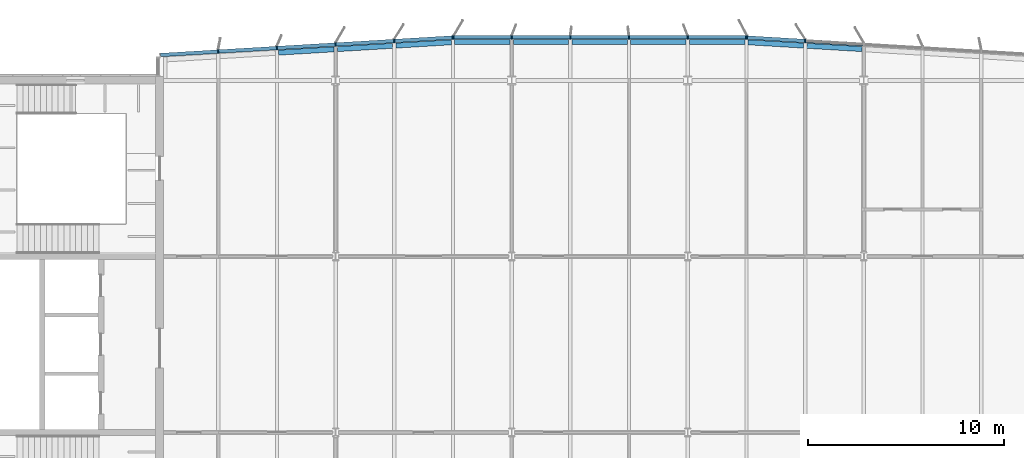
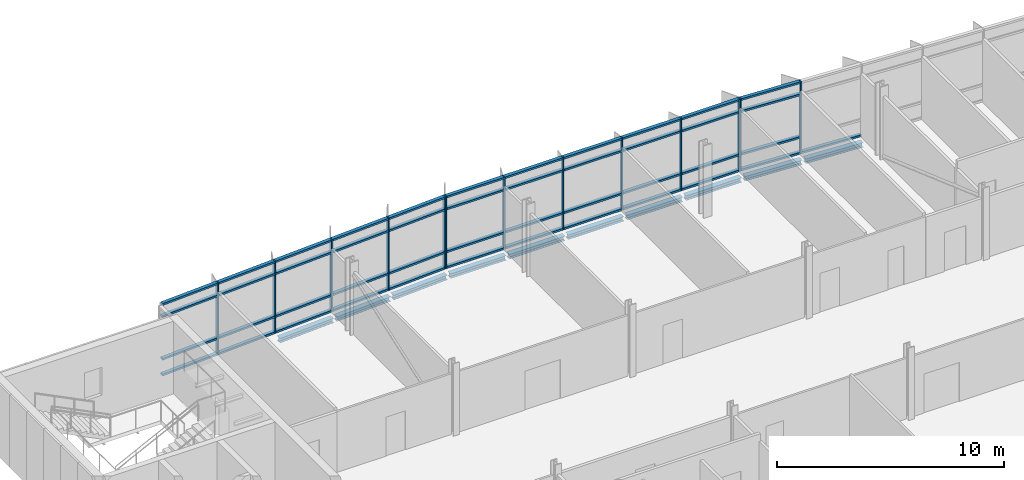
# One storey, part 8 of 18: 58 members, 10 beams, 3 elements without a shape of their own.
"""IFC4 building model written with IfcOpenShell, lengths in metres."""

from ifc_helpers import new_model, si_unit, direction, frame, origin, origin_2d, place, context, subcontext, project, spatial, rectangle, i_section, extrude, material, material_profile, profile_set, type_object, element, aggregate, save


model = new_model("IFC4")

# Units and contexts
model_context = context("Model", 3, precision=1e-05, world=origin(), true_north=direction((0.0, 1.0)))
body_context = subcontext(model_context, "Body", "Model", "MODEL_VIEW")
ifc_project = project(units=[si_unit("LENGTHUNIT", "METRE"), si_unit("AREAUNIT", "SQUARE_METRE"), si_unit("VOLUMEUNIT", "CUBIC_METRE"), si_unit("PLANEANGLEUNIT", "RADIAN"), si_unit("MASSUNIT", "GRAM", prefix="KILO")], contexts=[model_context])

# Site, building, storey
site_placement = place(None, origin())
site = spatial("IfcSite", under=ifc_project, at=site_placement, CompositionType="ELEMENT")
building_placement = place(site_placement, origin())
building = spatial("IfcBuilding", under=site, at=building_placement, Name="Azimuth Sports and Learning Centre", CompositionType="ELEMENT")
storey_placement = place(building_placement, frame((0.0, 0.0, 55.800048828125)))
storey = spatial("IfcBuildingStorey", under=building, at=storey_placement, Name="L12", CompositionType="ELEMENT", Elevation=55.800048828125)

# Beams
ifc_material_1 = material(Name="Steel S355", Category="steel")
ifc_material_profile_1 = material_profile(ifc_material_1, i_section(OverallWidth=0.260009765625, OverallDepth=0.25, WebThickness=0.007568359375, FlangeThickness=0.012451171875, FilletRadius=0.02392578125, at=origin_2d()), Name="HEA 260")
ifc_profile_set_1 = profile_set([ifc_material_profile_1], Name="Steel S355")
beam_type = type_object("IfcBeamType", Name="Edge beam HEA 260", PredefinedType="SPANDREL", material=ifc_profile_set_1)
for number, where, z_axis, x_axis, name in (
    (1, (69.0849609375, 118.4150390625, -0.255126953125), (0.998202373506, 0.059933475842, 0.0), (-0.059933475842, 0.998202373506, 0.0), "Tower edge beam"),
    (2, (72.0849609375, 118.59521484375, -0.255126953125), (0.998207521518, 0.059847673176, 0.0), (-0.059847673176, 0.998207521518, 0.0), "Tower edge beam"),
    (3, (75.0849609375, 118.775146484375, -0.255126953125), (0.998207521518, 0.059847673176, 0.0), (-0.059847673176, 0.998207521518, 0.0), "Tower edge beam"),
):
    element("IfcBeam", number, at=place(storey_placement, frame(where, z_axis=z_axis, x_axis=x_axis)), inside=storey, type_object=beam_type, Name=name, PredefinedType="SPANDREL", context=body_context, shape_type="SweptSolid", body=[
        extrude(i_section(OverallWidth=0.260009765625, OverallDepth=0.25, WebThickness=0.007568359375, FlangeThickness=0.012451171875, FilletRadius=0.02392578125, at=origin_2d()), origin(), (0.0, 0.0, 1.0), 2.835205078125),
    ])
for number, where, z_axis, x_axis, name in (
    (4, (78.0849609375, 118.949951171875, -0.255126953125), (1.0, 0.0, 0.0), (0.0, 1.0, 0.0), "Tower edge beam"),
    (5, (81.0849609375, 118.949951171875, -0.255126953125), (1.0, 0.0, 0.0), (0.0, 1.0, 0.0), "Tower edge beam"),
    (6, (84.0849609375, 118.949951171875, -0.255126953125), (1.0, 0.0, 0.0), (0.0, 1.0, 0.0), "Tower edge beam"),
    (7, (87.0849609375, 118.949951171875, -0.255126953125), (1.0, 0.0, 0.0), (0.0, 1.0, 0.0), "Tower edge beam"),
    (8, (90.0849609375, 118.949951171875, -0.255126953125), (1.0, 0.0, 0.0), (0.0, 1.0, 0.0), "Tower edge beam"),
):
    element("IfcBeam", number, at=place(storey_placement, frame(where, z_axis=z_axis, x_axis=x_axis)), inside=storey, type_object=beam_type, Name=name, PredefinedType="SPANDREL", context=body_context, shape_type="SweptSolid", body=[
        extrude(i_section(OverallWidth=0.260009765625, OverallDepth=0.25, WebThickness=0.007568359375, FlangeThickness=0.012451171875, FilletRadius=0.02392578125, at=origin_2d()), origin(), (0.0, 0.0, 1.0), 2.830078125),
    ])
for number, where, z_axis, x_axis, name in (
    (9, (93.0849609375, 118.94482421875, -0.255126953125), (0.998207521518, -0.059847673176, 0.0), (0.059847673176, 0.998207521518, 0.0), "Tower edge beam"),
    (10, (96.0849609375, 118.764892578125, -0.255126953125), (0.998207521518, -0.059847673176, 0.0), (0.059847673176, 0.998207521518, 0.0), "Tower edge beam"),
):
    element("IfcBeam", number, at=place(storey_placement, frame(where, z_axis=z_axis, x_axis=x_axis)), inside=storey, type_object=beam_type, Name=name, PredefinedType="SPANDREL", context=body_context, shape_type="SweptSolid", body=[
        extrude(i_section(OverallWidth=0.260009765625, OverallDepth=0.25, WebThickness=0.007568359375, FlangeThickness=0.012451171875, FilletRadius=0.02392578125, at=origin_2d()), origin(), (0.0, 0.0, 1.0), 2.835205078125),
    ])

# Curtain wall, members
ifc_material_2 = material(Name="Aluminium and glass", Category="aluminium")
curtain_wall_type = type_object("IfcCurtainWallType", Name="Curtain wall tower north 180", PredefinedType="NOTDEFINED", material=ifc_material_2)
curtain_wall_1_placement = place(storey_placement, origin())
curtain_wall_1 = element("IfcCurtainWall", 11, at=curtain_wall_1_placement, inside=storey, type_object=curtain_wall_type, Name="Curtain wall CW12-007", PredefinedType="NOTDEFINED")
ifc_material_3 = material(Name="Aluminium", Category="aluminium")
ifc_material_profile_2 = material_profile(ifc_material_3, rectangle(XDim=0.179931640625, YDim=0.06005859375, at=origin_2d()), Name="Mullion 60x180")
ifc_profile_set_2 = profile_set([ifc_material_profile_2], Name="Aluminium")
member_type_1 = type_object("IfcMemberType", Name="Mullion 60x180", PredefinedType="MULLION", material=ifc_profile_set_2)
member_1_placement = place(storey_placement, frame((96.00537109375, 119.009765625, 0.0), z_axis=(0.0, 0.0, 1.0), x_axis=(-0.059891991812, -0.998204863401, 0.0)))
member_1 = element("IfcMember", 12, at=member_1_placement, type_object=member_type_1, Name="CW12-007 mullion 5", PredefinedType="MULLION", context=body_context, shape_type="SweptSolid", body=[
    extrude(rectangle(XDim=0.179931640625, YDim=0.06005859375, at=origin_2d()), origin(), (0.0, 0.0, 1.0), 3.89990234375),
])
member_2_placement = place(storey_placement, frame((93.035400390625, 119.18798828125, 0.0), z_axis=(0.0, 0.0, 1.0), x_axis=(-0.059891991812, -0.998204863401, 0.0)))
member_2 = element("IfcMember", 13, at=member_2_placement, type_object=member_type_1, Name="CW12-007 mullion 6", PredefinedType="MULLION", context=body_context, shape_type="SweptSolid", body=[
    extrude(rectangle(XDim=0.179931640625, YDim=0.06005859375, at=origin_2d()), origin(), (0.0, 0.0, 1.0), 3.89990234375),
])

curtain_wall_2_placement = place(storey_placement, origin())
curtain_wall_2 = element("IfcCurtainWall", 14, at=curtain_wall_2_placement, inside=storey, type_object=curtain_wall_type, Name="Curtain wall CW12-008", PredefinedType="NOTDEFINED")
member_3_placement = place(storey_placement, frame((92.975341796875, 119.18994140625, 0.0), z_axis=(0.0, 0.0, 1.0), x_axis=(0.0, -1.0, 0.0)))
member_3 = element("IfcMember", 15, at=member_3_placement, type_object=member_type_1, Name="CW12-008 mullion 1", PredefinedType="MULLION", context=body_context, shape_type="SweptSolid", body=[
    extrude(rectangle(XDim=0.179931640625, YDim=0.06005859375, at=origin_2d()), origin(), (0.0, 0.0, 1.0), 3.89990234375),
])
member_4_placement = place(storey_placement, frame((90.0, 119.18994140625, 0.0), z_axis=(0.0, 0.0, 1.0), x_axis=(0.0, -1.0, 0.0)))
member_4 = element("IfcMember", 16, at=member_4_placement, type_object=member_type_1, Name="CW12-008 mullion 2", PredefinedType="MULLION", context=body_context, shape_type="SweptSolid", body=[
    extrude(rectangle(XDim=0.179931640625, YDim=0.06005859375, at=origin_2d()), origin(), (0.0, 0.0, 1.0), 3.89990234375),
])
member_5_placement = place(storey_placement, frame((87.0, 119.18994140625, 0.0), z_axis=(0.0, 0.0, 1.0), x_axis=(0.0, -1.0, 0.0)))
member_5 = element("IfcMember", 17, at=member_5_placement, type_object=member_type_1, Name="CW12-008 mullion 3", PredefinedType="MULLION", context=body_context, shape_type="SweptSolid", body=[
    extrude(rectangle(XDim=0.179931640625, YDim=0.06005859375, at=origin_2d()), origin(), (0.0, 0.0, 1.0), 3.89990234375),
])
member_6_placement = place(storey_placement, frame((84.0, 119.18994140625, 0.0), z_axis=(0.0, 0.0, 1.0), x_axis=(0.0, -1.0, 0.0)))
member_6 = element("IfcMember", 18, at=member_6_placement, type_object=member_type_1, Name="CW12-008 mullion 4", PredefinedType="MULLION", context=body_context, shape_type="SweptSolid", body=[
    extrude(rectangle(XDim=0.179931640625, YDim=0.06005859375, at=origin_2d()), origin(), (0.0, 0.0, 1.0), 3.89990234375),
])
member_7_placement = place(storey_placement, frame((81.0, 119.18994140625, 0.0), z_axis=(0.0, 0.0, 1.0), x_axis=(0.0, -1.0, 0.0)))
member_7 = element("IfcMember", 19, at=member_7_placement, type_object=member_type_1, Name="CW12-008 mullion 5", PredefinedType="MULLION", context=body_context, shape_type="SweptSolid", body=[
    extrude(rectangle(XDim=0.179931640625, YDim=0.06005859375, at=origin_2d()), origin(), (0.0, 0.0, 1.0), 3.89990234375),
])
member_8_placement = place(storey_placement, frame((78.030029296875, 119.18994140625, 0.0), z_axis=(0.0, 0.0, 1.0), x_axis=(0.0, -1.0, 0.0)))
member_8 = element("IfcMember", 20, at=member_8_placement, type_object=member_type_1, Name="CW12-008 mullion 6", PredefinedType="MULLION", context=body_context, shape_type="SweptSolid", body=[
    extrude(rectangle(XDim=0.179931640625, YDim=0.06005859375, at=origin_2d()), origin(), (0.0, 0.0, 1.0), 3.89990234375),
])

curtain_wall_3_placement = place(storey_placement, origin())
curtain_wall_3 = element("IfcCurtainWall", 21, at=curtain_wall_3_placement, inside=storey, type_object=curtain_wall_type, Name="Curtain wall CW12-009", PredefinedType="NOTDEFINED")
member_9_placement = place(storey_placement, frame((77.969970703125, 119.1884765625, 0.0), z_axis=(0.0, 0.0, 1.0), x_axis=(0.059891991812, -0.998204863401, 0.0)))
member_9 = element("IfcMember", 22, at=member_9_placement, type_object=member_type_1, Name="CW12-009 mullion 1", PredefinedType="MULLION", context=body_context, shape_type="SweptSolid", body=[
    extrude(rectangle(XDim=0.179931640625, YDim=0.06005859375, at=origin_2d()), origin(), (0.0, 0.0, 1.0), 3.89990234375),
])
member_10_placement = place(storey_placement, frame((74.99462890625, 119.009765625, 0.0), z_axis=(0.0, 0.0, 1.0), x_axis=(0.059891991812, -0.998204863401, 0.0)))
member_10 = element("IfcMember", 23, at=member_10_placement, type_object=member_type_1, Name="CW12-009 mullion 2", PredefinedType="MULLION", context=body_context, shape_type="SweptSolid", body=[
    extrude(rectangle(XDim=0.179931640625, YDim=0.06005859375, at=origin_2d()), origin(), (0.0, 0.0, 1.0), 3.89990234375),
])
member_11_placement = place(storey_placement, frame((71.99462890625, 118.829833984375, 0.0), z_axis=(0.0, 0.0, 1.0), x_axis=(0.059891991812, -0.998204863401, 0.0)))
member_11 = element("IfcMember", 24, at=member_11_placement, type_object=member_type_1, Name="CW12-009 mullion 3", PredefinedType="MULLION", context=body_context, shape_type="SweptSolid", body=[
    extrude(rectangle(XDim=0.179931640625, YDim=0.06005859375, at=origin_2d()), origin(), (0.0, 0.0, 1.0), 3.89990234375),
])
member_12_placement = place(storey_placement, frame((68.99462890625, 118.64990234375, 0.0), z_axis=(0.0, 0.0, 1.0), x_axis=(0.059891991812, -0.998204863401, 0.0)))
member_12 = element("IfcMember", 25, at=member_12_placement, type_object=member_type_1, Name="CW12-009 mullion 4", PredefinedType="MULLION", context=body_context, shape_type="SweptSolid", body=[
    extrude(rectangle(XDim=0.179931640625, YDim=0.06005859375, at=origin_2d()), origin(), (0.0, 0.0, 1.0), 3.89990234375),
])
member_13_placement = place(storey_placement, frame((65.99462890625, 118.4697265625, 0.0), z_axis=(0.0, 0.0, 1.0), x_axis=(0.059891991812, -0.998204863401, 0.0)))
member_13 = element("IfcMember", 26, at=member_13_placement, type_object=member_type_1, Name="CW12-009 mullion 5", PredefinedType="MULLION", context=body_context, shape_type="SweptSolid", body=[
    extrude(rectangle(XDim=0.179931640625, YDim=0.06005859375, at=origin_2d()), origin(), (0.0, 0.0, 1.0), 3.89990234375),
])

# Member
ifc_material_4 = material(Name="Aluminium", Category="aluminium")
ifc_material_profile_3 = material_profile(ifc_material_4, rectangle(XDim=0.179931640625, YDim=0.10009765625, at=origin_2d()), Name="Transom 100x180")
ifc_profile_set_3 = profile_set([ifc_material_profile_3], Name="Aluminium")
member_type_2 = type_object("IfcMemberType", Name="Transom 100x180", PredefinedType="USERDEFINED", material=ifc_profile_set_3)
member_14_placement = place(storey_placement, frame((98.975341796875, 118.83154296875, 0.050048828125), z_axis=(-0.998202465912, 0.059931936792, 0.0), x_axis=(-0.059931936792, -0.998202465912, 0.0)))
member_14 = element("IfcMember", 27, at=member_14_placement, type_object=member_type_2, Name="CW12-007 transom 4.1", ObjectType="TRANSOM", PredefinedType="USERDEFINED", context=body_context, shape_type="SweptSolid", body=[
    extrude(rectangle(XDim=0.179931640625, YDim=0.10009765625, at=origin_2d()), origin(), (0.0, 0.0, 1.0), 2.9453125),
])

member_15_placement = place(storey_placement, frame((95.975341796875, 119.01171875, 0.050048828125), z_axis=(-0.998205846627, 0.059875602377, 0.0), x_axis=(-0.059875602377, -0.998205846627, 0.0)))
member_15 = element("IfcMember", 28, at=member_15_placement, type_object=member_type_2, Name="CW12-007 transom 5.1", ObjectType="TRANSOM", PredefinedType="USERDEFINED", context=body_context, shape_type="SweptSolid", body=[
    extrude(rectangle(XDim=0.179931640625, YDim=0.10009765625, at=origin_2d()), origin(), (0.0, 0.0, 1.0), 2.915283203125),
])

member_16_placement = place(storey_placement, frame((95.975341796875, 119.01171875, 0.89990234375), z_axis=(-0.998205846627, 0.059875602377, 0.0), x_axis=(-0.059875602377, -0.998205846627, 0.0)))
member_16 = element("IfcMember", 29, at=member_16_placement, type_object=member_type_2, Name="CW12-007 transom 5.2", ObjectType="TRANSOM", PredefinedType="USERDEFINED", context=body_context, shape_type="SweptSolid", body=[
    extrude(rectangle(XDim=0.179931640625, YDim=0.10009765625, at=origin_2d()), origin(), (0.0, 0.0, 1.0), 2.915283203125),
])

member_17_placement = place(storey_placement, frame((95.975341796875, 119.01171875, 3.199951171875), z_axis=(-0.998205846627, 0.059875602377, 0.0), x_axis=(-0.059875602377, -0.998205846627, 0.0)))
member_17 = element("IfcMember", 30, at=member_17_placement, type_object=member_type_2, Name="CW12-007 transom 5.3", ObjectType="TRANSOM", PredefinedType="USERDEFINED", context=body_context, shape_type="SweptSolid", body=[
    extrude(rectangle(XDim=0.179931640625, YDim=0.10009765625, at=origin_2d()), origin(), (0.0, 0.0, 1.0), 2.915283203125),
])

member_18_placement = place(storey_placement, frame((95.975341796875, 119.01171875, 3.849853515625), z_axis=(-0.998205846627, 0.059875602377, 0.0), x_axis=(-0.059875602377, -0.998205846627, 0.0)))
member_18 = element("IfcMember", 31, at=member_18_placement, type_object=member_type_2, Name="CW12-007 transom 5.4", ObjectType="TRANSOM", PredefinedType="USERDEFINED", context=body_context, shape_type="SweptSolid", body=[
    extrude(rectangle(XDim=0.179931640625, YDim=0.10009765625, at=origin_2d()), origin(), (0.0, 0.0, 1.0), 2.915283203125),
])

aggregate(curtain_wall_1, [member_1, member_2, member_14, member_15, member_16, member_17, member_18])

member_19_placement = place(storey_placement, frame((92.9453125, 119.18994140625, 0.050048828125), z_axis=(-1.0, 0.0, 0.0), x_axis=(0.0, -1.0, 0.0)))
member_19 = element("IfcMember", 32, at=member_19_placement, type_object=member_type_2, Name="CW12-008 transom 1.1", ObjectType="TRANSOM", PredefinedType="USERDEFINED", context=body_context, shape_type="SweptSolid", body=[
    extrude(rectangle(XDim=0.179931640625, YDim=0.10009765625, at=origin_2d()), origin(), (0.0, 0.0, 1.0), 2.915283203125),
])

member_20_placement = place(storey_placement, frame((92.9453125, 119.18994140625, 0.89990234375), z_axis=(-1.0, 0.0, 0.0), x_axis=(0.0, -1.0, 0.0)))
member_20 = element("IfcMember", 33, at=member_20_placement, type_object=member_type_2, Name="CW12-008 transom 1.2", ObjectType="TRANSOM", PredefinedType="USERDEFINED", context=body_context, shape_type="SweptSolid", body=[
    extrude(rectangle(XDim=0.179931640625, YDim=0.10009765625, at=origin_2d()), origin(), (0.0, 0.0, 1.0), 2.915283203125),
])

member_21_placement = place(storey_placement, frame((92.9453125, 119.18994140625, 3.199951171875), z_axis=(-1.0, 0.0, 0.0), x_axis=(0.0, -1.0, 0.0)))
member_21 = element("IfcMember", 34, at=member_21_placement, type_object=member_type_2, Name="CW12-008 transom 1.3", ObjectType="TRANSOM", PredefinedType="USERDEFINED", context=body_context, shape_type="SweptSolid", body=[
    extrude(rectangle(XDim=0.179931640625, YDim=0.10009765625, at=origin_2d()), origin(), (0.0, 0.0, 1.0), 2.915283203125),
])

member_22_placement = place(storey_placement, frame((92.9453125, 119.18994140625, 3.849853515625), z_axis=(-1.0, 0.0, 0.0), x_axis=(0.0, -1.0, 0.0)))
member_22 = element("IfcMember", 35, at=member_22_placement, type_object=member_type_2, Name="CW12-008 transom 1.4", ObjectType="TRANSOM", PredefinedType="USERDEFINED", context=body_context, shape_type="SweptSolid", body=[
    extrude(rectangle(XDim=0.179931640625, YDim=0.10009765625, at=origin_2d()), origin(), (0.0, 0.0, 1.0), 2.915283203125),
])

member_23_placement = place(storey_placement, frame((89.969970703125, 119.18994140625, 0.050048828125), z_axis=(-1.0, 0.0, 0.0), x_axis=(0.0, -1.0, 0.0)))
member_23 = element("IfcMember", 36, at=member_23_placement, type_object=member_type_2, Name="CW12-008 transom 2.1", ObjectType="TRANSOM", PredefinedType="USERDEFINED", context=body_context, shape_type="SweptSolid", body=[
    extrude(rectangle(XDim=0.179931640625, YDim=0.10009765625, at=origin_2d()), origin(), (0.0, 0.0, 1.0), 2.93994140625),
])

member_24_placement = place(storey_placement, frame((89.969970703125, 119.18994140625, 0.89990234375), z_axis=(-1.0, 0.0, 0.0), x_axis=(0.0, -1.0, 0.0)))
member_24 = element("IfcMember", 37, at=member_24_placement, type_object=member_type_2, Name="CW12-008 transom 2.2", ObjectType="TRANSOM", PredefinedType="USERDEFINED", context=body_context, shape_type="SweptSolid", body=[
    extrude(rectangle(XDim=0.179931640625, YDim=0.10009765625, at=origin_2d()), origin(), (0.0, 0.0, 1.0), 2.93994140625),
])

member_25_placement = place(storey_placement, frame((89.969970703125, 119.18994140625, 3.199951171875), z_axis=(-1.0, 0.0, 0.0), x_axis=(0.0, -1.0, 0.0)))
member_25 = element("IfcMember", 38, at=member_25_placement, type_object=member_type_2, Name="CW12-008 transom 2.3", ObjectType="TRANSOM", PredefinedType="USERDEFINED", context=body_context, shape_type="SweptSolid", body=[
    extrude(rectangle(XDim=0.179931640625, YDim=0.10009765625, at=origin_2d()), origin(), (0.0, 0.0, 1.0), 2.93994140625),
])

member_26_placement = place(storey_placement, frame((89.969970703125, 119.18994140625, 3.849853515625), z_axis=(-1.0, 0.0, 0.0), x_axis=(0.0, -1.0, 0.0)))
member_26 = element("IfcMember", 39, at=member_26_placement, type_object=member_type_2, Name="CW12-008 transom 2.4", ObjectType="TRANSOM", PredefinedType="USERDEFINED", context=body_context, shape_type="SweptSolid", body=[
    extrude(rectangle(XDim=0.179931640625, YDim=0.10009765625, at=origin_2d()), origin(), (0.0, 0.0, 1.0), 2.93994140625),
])

member_27_placement = place(storey_placement, frame((86.969970703125, 119.18994140625, 0.050048828125), z_axis=(-1.0, 0.0, 0.0), x_axis=(0.0, -1.0, 0.0)))
member_27 = element("IfcMember", 40, at=member_27_placement, type_object=member_type_2, Name="CW12-008 transom 3.1", ObjectType="TRANSOM", PredefinedType="USERDEFINED", context=body_context, shape_type="SweptSolid", body=[
    extrude(rectangle(XDim=0.179931640625, YDim=0.10009765625, at=origin_2d()), origin(), (0.0, 0.0, 1.0), 2.93994140625),
])

member_28_placement = place(storey_placement, frame((86.969970703125, 119.18994140625, 0.89990234375), z_axis=(-1.0, 0.0, 0.0), x_axis=(0.0, -1.0, 0.0)))
member_28 = element("IfcMember", 41, at=member_28_placement, type_object=member_type_2, Name="CW12-008 transom 3.2", ObjectType="TRANSOM", PredefinedType="USERDEFINED", context=body_context, shape_type="SweptSolid", body=[
    extrude(rectangle(XDim=0.179931640625, YDim=0.10009765625, at=origin_2d()), origin(), (0.0, 0.0, 1.0), 2.93994140625),
])

member_29_placement = place(storey_placement, frame((86.969970703125, 119.18994140625, 3.199951171875), z_axis=(-1.0, 0.0, 0.0), x_axis=(0.0, -1.0, 0.0)))
member_29 = element("IfcMember", 42, at=member_29_placement, type_object=member_type_2, Name="CW12-008 transom 3.3", ObjectType="TRANSOM", PredefinedType="USERDEFINED", context=body_context, shape_type="SweptSolid", body=[
    extrude(rectangle(XDim=0.179931640625, YDim=0.10009765625, at=origin_2d()), origin(), (0.0, 0.0, 1.0), 2.93994140625),
])

member_30_placement = place(storey_placement, frame((86.969970703125, 119.18994140625, 3.849853515625), z_axis=(-1.0, 0.0, 0.0), x_axis=(0.0, -1.0, 0.0)))
member_30 = element("IfcMember", 43, at=member_30_placement, type_object=member_type_2, Name="CW12-008 transom 3.4", ObjectType="TRANSOM", PredefinedType="USERDEFINED", context=body_context, shape_type="SweptSolid", body=[
    extrude(rectangle(XDim=0.179931640625, YDim=0.10009765625, at=origin_2d()), origin(), (0.0, 0.0, 1.0), 2.93994140625),
])

member_31_placement = place(storey_placement, frame((83.969970703125, 119.18994140625, 0.050048828125), z_axis=(-1.0, 0.0, 0.0), x_axis=(0.0, -1.0, 0.0)))
member_31 = element("IfcMember", 44, at=member_31_placement, type_object=member_type_2, Name="CW12-008 transom 4.1", ObjectType="TRANSOM", PredefinedType="USERDEFINED", context=body_context, shape_type="SweptSolid", body=[
    extrude(rectangle(XDim=0.179931640625, YDim=0.10009765625, at=origin_2d()), origin(), (0.0, 0.0, 1.0), 2.93994140625),
])

member_32_placement = place(storey_placement, frame((83.969970703125, 119.18994140625, 0.89990234375), z_axis=(-1.0, 0.0, 0.0), x_axis=(0.0, -1.0, 0.0)))
member_32 = element("IfcMember", 45, at=member_32_placement, type_object=member_type_2, Name="CW12-008 transom 4.2", ObjectType="TRANSOM", PredefinedType="USERDEFINED", context=body_context, shape_type="SweptSolid", body=[
    extrude(rectangle(XDim=0.179931640625, YDim=0.10009765625, at=origin_2d()), origin(), (0.0, 0.0, 1.0), 2.93994140625),
])

member_33_placement = place(storey_placement, frame((83.969970703125, 119.18994140625, 3.199951171875), z_axis=(-1.0, 0.0, 0.0), x_axis=(0.0, -1.0, 0.0)))
member_33 = element("IfcMember", 46, at=member_33_placement, type_object=member_type_2, Name="CW12-008 transom 4.3", ObjectType="TRANSOM", PredefinedType="USERDEFINED", context=body_context, shape_type="SweptSolid", body=[
    extrude(rectangle(XDim=0.179931640625, YDim=0.10009765625, at=origin_2d()), origin(), (0.0, 0.0, 1.0), 2.93994140625),
])

member_34_placement = place(storey_placement, frame((83.969970703125, 119.18994140625, 3.849853515625), z_axis=(-1.0, 0.0, 0.0), x_axis=(0.0, -1.0, 0.0)))
member_34 = element("IfcMember", 47, at=member_34_placement, type_object=member_type_2, Name="CW12-008 transom 4.4", ObjectType="TRANSOM", PredefinedType="USERDEFINED", context=body_context, shape_type="SweptSolid", body=[
    extrude(rectangle(XDim=0.179931640625, YDim=0.10009765625, at=origin_2d()), origin(), (0.0, 0.0, 1.0), 2.93994140625),
])

member_35_placement = place(storey_placement, frame((80.969970703125, 119.18994140625, 0.050048828125), z_axis=(-1.0, 0.0, 0.0), x_axis=(0.0, -1.0, 0.0)))
member_35 = element("IfcMember", 48, at=member_35_placement, type_object=member_type_2, Name="CW12-008 transom 5.1", ObjectType="TRANSOM", PredefinedType="USERDEFINED", context=body_context, shape_type="SweptSolid", body=[
    extrude(rectangle(XDim=0.179931640625, YDim=0.10009765625, at=origin_2d()), origin(), (0.0, 0.0, 1.0), 2.909912109375),
])

member_36_placement = place(storey_placement, frame((80.969970703125, 119.18994140625, 0.89990234375), z_axis=(-1.0, 0.0, 0.0), x_axis=(0.0, -1.0, 0.0)))
member_36 = element("IfcMember", 49, at=member_36_placement, type_object=member_type_2, Name="CW12-008 transom 5.2", ObjectType="TRANSOM", PredefinedType="USERDEFINED", context=body_context, shape_type="SweptSolid", body=[
    extrude(rectangle(XDim=0.179931640625, YDim=0.10009765625, at=origin_2d()), origin(), (0.0, 0.0, 1.0), 2.909912109375),
])

member_37_placement = place(storey_placement, frame((80.969970703125, 119.18994140625, 3.199951171875), z_axis=(-1.0, 0.0, 0.0), x_axis=(0.0, -1.0, 0.0)))
member_37 = element("IfcMember", 50, at=member_37_placement, type_object=member_type_2, Name="CW12-008 transom 5.3", ObjectType="TRANSOM", PredefinedType="USERDEFINED", context=body_context, shape_type="SweptSolid", body=[
    extrude(rectangle(XDim=0.179931640625, YDim=0.10009765625, at=origin_2d()), origin(), (0.0, 0.0, 1.0), 2.909912109375),
])

member_38_placement = place(storey_placement, frame((80.969970703125, 119.18994140625, 3.849853515625), z_axis=(-1.0, 0.0, 0.0), x_axis=(0.0, -1.0, 0.0)))
member_38 = element("IfcMember", 51, at=member_38_placement, type_object=member_type_2, Name="CW12-008 transom 5.4", ObjectType="TRANSOM", PredefinedType="USERDEFINED", context=body_context, shape_type="SweptSolid", body=[
    extrude(rectangle(XDim=0.179931640625, YDim=0.10009765625, at=origin_2d()), origin(), (0.0, 0.0, 1.0), 2.909912109375),
])

aggregate(curtain_wall_2, [member_3, member_4, member_5, member_6, member_7, member_8, member_19, member_20, member_21, member_22, member_23, member_24, member_25, member_26, member_27, member_28, member_29, member_30, member_31, member_32, member_33, member_34, member_35, member_36, member_37, member_38])

member_39_placement = place(storey_placement, frame((77.940185546875, 119.1865234375, 0.050048828125), z_axis=(-0.998207443116, -0.059848980847, 0.0), x_axis=(0.059848980847, -0.998207443116, 0.0)))
member_39 = element("IfcMember", 52, at=member_39_placement, type_object=member_type_2, Name="CW12-009 transom 1.1", ObjectType="TRANSOM", PredefinedType="USERDEFINED", context=body_context, shape_type="SweptSolid", body=[
    extrude(rectangle(XDim=0.179931640625, YDim=0.10009765625, at=origin_2d()), origin(), (0.0, 0.0, 1.0), 2.920654296875),
])

member_40_placement = place(storey_placement, frame((77.940185546875, 119.1865234375, 0.89990234375), z_axis=(-0.998207443116, -0.059848980847, 0.0), x_axis=(0.059848980847, -0.998207443116, 0.0)))
member_40 = element("IfcMember", 53, at=member_40_placement, type_object=member_type_2, Name="CW12-009 transom 1.2", ObjectType="TRANSOM", PredefinedType="USERDEFINED", context=body_context, shape_type="SweptSolid", body=[
    extrude(rectangle(XDim=0.179931640625, YDim=0.10009765625, at=origin_2d()), origin(), (0.0, 0.0, 1.0), 2.920654296875),
])

member_41_placement = place(storey_placement, frame((77.940185546875, 119.1865234375, 3.199951171875), z_axis=(-0.998207443116, -0.059848980847, 0.0), x_axis=(0.059848980847, -0.998207443116, 0.0)))
member_41 = element("IfcMember", 54, at=member_41_placement, type_object=member_type_2, Name="CW12-009 transom 1.3", ObjectType="TRANSOM", PredefinedType="USERDEFINED", context=body_context, shape_type="SweptSolid", body=[
    extrude(rectangle(XDim=0.179931640625, YDim=0.10009765625, at=origin_2d()), origin(), (0.0, 0.0, 1.0), 2.920654296875),
])

member_42_placement = place(storey_placement, frame((77.940185546875, 119.1865234375, 3.849853515625), z_axis=(-0.998207443116, -0.059848980847, 0.0), x_axis=(0.059848980847, -0.998207443116, 0.0)))
member_42 = element("IfcMember", 55, at=member_42_placement, type_object=member_type_2, Name="CW12-009 transom 1.4", ObjectType="TRANSOM", PredefinedType="USERDEFINED", context=body_context, shape_type="SweptSolid", body=[
    extrude(rectangle(XDim=0.179931640625, YDim=0.10009765625, at=origin_2d()), origin(), (0.0, 0.0, 1.0), 2.920654296875),
])

member_43_placement = place(storey_placement, frame((74.964599609375, 119.008056640625, 0.050048828125), z_axis=(-0.998202465912, -0.059931936792, 0.0), x_axis=(0.059931936792, -0.998202465912, 0.0)))
member_43 = element("IfcMember", 56, at=member_43_placement, type_object=member_type_2, Name="CW12-009 transom 2.1", ObjectType="TRANSOM", PredefinedType="USERDEFINED", context=body_context, shape_type="SweptSolid", body=[
    extrude(rectangle(XDim=0.179931640625, YDim=0.10009765625, at=origin_2d()), origin(), (0.0, 0.0, 1.0), 2.9453125),
])

member_44_placement = place(storey_placement, frame((74.964599609375, 119.008056640625, 0.89990234375), z_axis=(-0.998202465912, -0.059931936792, 0.0), x_axis=(0.059931936792, -0.998202465912, 0.0)))
member_44 = element("IfcMember", 57, at=member_44_placement, type_object=member_type_2, Name="CW12-009 transom 2.2", ObjectType="TRANSOM", PredefinedType="USERDEFINED", context=body_context, shape_type="SweptSolid", body=[
    extrude(rectangle(XDim=0.179931640625, YDim=0.10009765625, at=origin_2d()), origin(), (0.0, 0.0, 1.0), 2.9453125),
])

member_45_placement = place(storey_placement, frame((74.964599609375, 119.008056640625, 3.199951171875), z_axis=(-0.998202465912, -0.059931936792, 0.0), x_axis=(0.059931936792, -0.998202465912, 0.0)))
member_45 = element("IfcMember", 58, at=member_45_placement, type_object=member_type_2, Name="CW12-009 transom 2.3", ObjectType="TRANSOM", PredefinedType="USERDEFINED", context=body_context, shape_type="SweptSolid", body=[
    extrude(rectangle(XDim=0.179931640625, YDim=0.10009765625, at=origin_2d()), origin(), (0.0, 0.0, 1.0), 2.9453125),
])

member_46_placement = place(storey_placement, frame((74.964599609375, 119.008056640625, 3.849853515625), z_axis=(-0.998202465912, -0.059931936792, 0.0), x_axis=(0.059931936792, -0.998202465912, 0.0)))
member_46 = element("IfcMember", 59, at=member_46_placement, type_object=member_type_2, Name="CW12-009 transom 2.4", ObjectType="TRANSOM", PredefinedType="USERDEFINED", context=body_context, shape_type="SweptSolid", body=[
    extrude(rectangle(XDim=0.179931640625, YDim=0.10009765625, at=origin_2d()), origin(), (0.0, 0.0, 1.0), 2.9453125),
])

member_47_placement = place(storey_placement, frame((71.964599609375, 118.828125, 0.050048828125), z_axis=(-0.998202465912, -0.059931936792, 0.0), x_axis=(0.059931936792, -0.998202465912, 0.0)))
member_47 = element("IfcMember", 60, at=member_47_placement, type_object=member_type_2, Name="CW12-009 transom 3.1", ObjectType="TRANSOM", PredefinedType="USERDEFINED", context=body_context, shape_type="SweptSolid", body=[
    extrude(rectangle(XDim=0.179931640625, YDim=0.10009765625, at=origin_2d()), origin(), (0.0, 0.0, 1.0), 2.9453125),
])

member_48_placement = place(storey_placement, frame((71.964599609375, 118.828125, 0.89990234375), z_axis=(-0.998202465912, -0.059931936792, 0.0), x_axis=(0.059931936792, -0.998202465912, 0.0)))
member_48 = element("IfcMember", 61, at=member_48_placement, type_object=member_type_2, Name="CW12-009 transom 3.2", ObjectType="TRANSOM", PredefinedType="USERDEFINED", context=body_context, shape_type="SweptSolid", body=[
    extrude(rectangle(XDim=0.179931640625, YDim=0.10009765625, at=origin_2d()), origin(), (0.0, 0.0, 1.0), 2.9453125),
])

member_49_placement = place(storey_placement, frame((71.964599609375, 118.828125, 3.199951171875), z_axis=(-0.998202465912, -0.059931936792, 0.0), x_axis=(0.059931936792, -0.998202465912, 0.0)))
member_49 = element("IfcMember", 62, at=member_49_placement, type_object=member_type_2, Name="CW12-009 transom 3.3", ObjectType="TRANSOM", PredefinedType="USERDEFINED", context=body_context, shape_type="SweptSolid", body=[
    extrude(rectangle(XDim=0.179931640625, YDim=0.10009765625, at=origin_2d()), origin(), (0.0, 0.0, 1.0), 2.9453125),
])

member_50_placement = place(storey_placement, frame((71.964599609375, 118.828125, 3.849853515625), z_axis=(-0.998202465912, -0.059931936792, 0.0), x_axis=(0.059931936792, -0.998202465912, 0.0)))
member_50 = element("IfcMember", 63, at=member_50_placement, type_object=member_type_2, Name="CW12-009 transom 3.4", ObjectType="TRANSOM", PredefinedType="USERDEFINED", context=body_context, shape_type="SweptSolid", body=[
    extrude(rectangle(XDim=0.179931640625, YDim=0.10009765625, at=origin_2d()), origin(), (0.0, 0.0, 1.0), 2.9453125),
])

member_51_placement = place(storey_placement, frame((68.964599609375, 118.64794921875, 0.050048828125), z_axis=(-0.998207421552, -0.059849340505, 0.0), x_axis=(0.059849340505, -0.998207421552, 0.0)))
member_51 = element("IfcMember", 64, at=member_51_placement, type_object=member_type_2, Name="CW12-009 transom 4.1", ObjectType="TRANSOM", PredefinedType="USERDEFINED", context=body_context, shape_type="SweptSolid", body=[
    extrude(rectangle(XDim=0.179931640625, YDim=0.10009765625, at=origin_2d()), origin(), (0.0, 0.0, 1.0), 2.9453125),
])

member_52_placement = place(storey_placement, frame((68.964599609375, 118.64794921875, 0.89990234375), z_axis=(-0.998207421552, -0.059849340505, 0.0), x_axis=(0.059849340505, -0.998207421552, 0.0)))
member_52 = element("IfcMember", 65, at=member_52_placement, type_object=member_type_2, Name="CW12-009 transom 4.2", ObjectType="TRANSOM", PredefinedType="USERDEFINED", context=body_context, shape_type="SweptSolid", body=[
    extrude(rectangle(XDim=0.179931640625, YDim=0.10009765625, at=origin_2d()), origin(), (0.0, 0.0, 1.0), 2.9453125),
])

member_53_placement = place(storey_placement, frame((68.964599609375, 118.64794921875, 3.199951171875), z_axis=(-0.998207421552, -0.059849340505, 0.0), x_axis=(0.059849340505, -0.998207421552, 0.0)))
member_53 = element("IfcMember", 66, at=member_53_placement, type_object=member_type_2, Name="CW12-009 transom 4.3", ObjectType="TRANSOM", PredefinedType="USERDEFINED", context=body_context, shape_type="SweptSolid", body=[
    extrude(rectangle(XDim=0.179931640625, YDim=0.10009765625, at=origin_2d()), origin(), (0.0, 0.0, 1.0), 2.9453125),
])

member_54_placement = place(storey_placement, frame((68.964599609375, 118.64794921875, 3.849853515625), z_axis=(-0.998207421552, -0.059849340505, 0.0), x_axis=(0.059849340505, -0.998207421552, 0.0)))
member_54 = element("IfcMember", 67, at=member_54_placement, type_object=member_type_2, Name="CW12-009 transom 4.4", ObjectType="TRANSOM", PredefinedType="USERDEFINED", context=body_context, shape_type="SweptSolid", body=[
    extrude(rectangle(XDim=0.179931640625, YDim=0.10009765625, at=origin_2d()), origin(), (0.0, 0.0, 1.0), 2.9453125),
])

member_55_placement = place(storey_placement, frame((65.964599609375, 118.468017578125, 0.050048828125), z_axis=(-0.998205846627, -0.059875602377, 0.0), x_axis=(0.059875602377, -0.998205846627, 0.0)))
member_55 = element("IfcMember", 68, at=member_55_placement, type_object=member_type_2, Name="CW12-009 transom 5.1", ObjectType="TRANSOM", PredefinedType="USERDEFINED", context=body_context, shape_type="SweptSolid", body=[
    extrude(rectangle(XDim=0.179931640625, YDim=0.10009765625, at=origin_2d()), origin(), (0.0, 0.0, 1.0), 2.915283203125),
])

member_56_placement = place(storey_placement, frame((65.964599609375, 118.468017578125, 0.89990234375), z_axis=(-0.998205846627, -0.059875602377, 0.0), x_axis=(0.059875602377, -0.998205846627, 0.0)))
member_56 = element("IfcMember", 69, at=member_56_placement, type_object=member_type_2, Name="CW12-009 transom 5.2", ObjectType="TRANSOM", PredefinedType="USERDEFINED", context=body_context, shape_type="SweptSolid", body=[
    extrude(rectangle(XDim=0.179931640625, YDim=0.10009765625, at=origin_2d()), origin(), (0.0, 0.0, 1.0), 2.915283203125),
])

member_57_placement = place(storey_placement, frame((65.964599609375, 118.468017578125, 3.199951171875), z_axis=(-0.998205846627, -0.059875602377, 0.0), x_axis=(0.059875602377, -0.998205846627, 0.0)))
member_57 = element("IfcMember", 70, at=member_57_placement, type_object=member_type_2, Name="CW12-009 transom 5.3", ObjectType="TRANSOM", PredefinedType="USERDEFINED", context=body_context, shape_type="SweptSolid", body=[
    extrude(rectangle(XDim=0.179931640625, YDim=0.10009765625, at=origin_2d()), origin(), (0.0, 0.0, 1.0), 2.915283203125),
])

member_58_placement = place(storey_placement, frame((65.964599609375, 118.468017578125, 3.849853515625), z_axis=(-0.998205846627, -0.059875602377, 0.0), x_axis=(0.059875602377, -0.998205846627, 0.0)))
member_58 = element("IfcMember", 71, at=member_58_placement, type_object=member_type_2, Name="CW12-009 transom 5.4", ObjectType="TRANSOM", PredefinedType="USERDEFINED", context=body_context, shape_type="SweptSolid", body=[
    extrude(rectangle(XDim=0.179931640625, YDim=0.10009765625, at=origin_2d()), origin(), (0.0, 0.0, 1.0), 2.915283203125),
])

aggregate(curtain_wall_3, [member_9, member_10, member_11, member_12, member_13, member_39, member_40, member_41, member_42, member_43, member_44, member_45, member_46, member_47, member_48, member_49, member_50, member_51, member_52, member_53, member_54, member_55, member_56, member_57, member_58])

save(model, "model.ifc")
